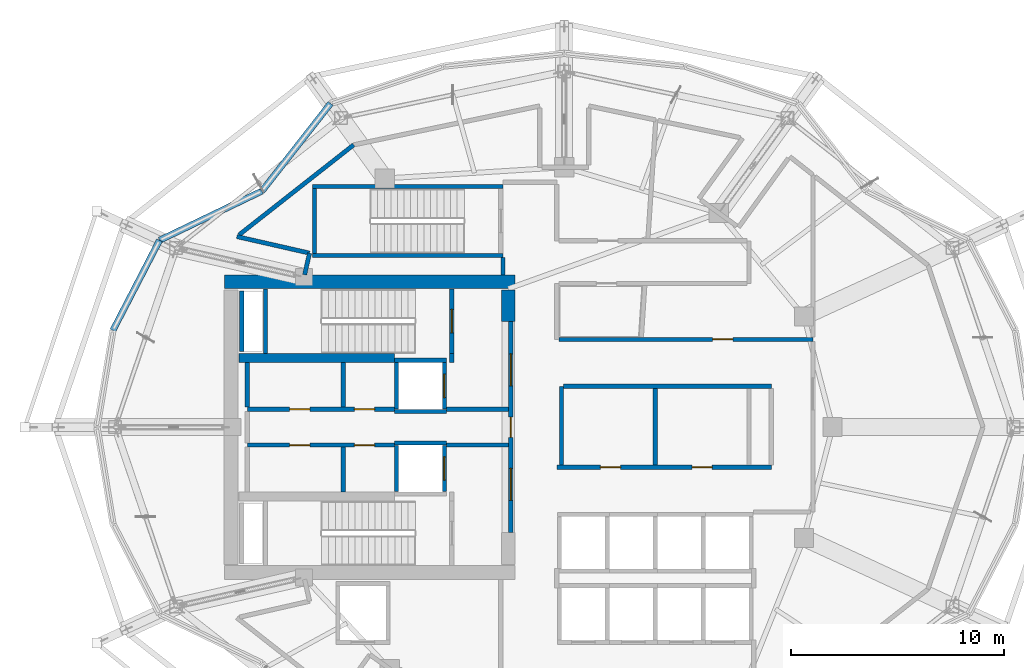
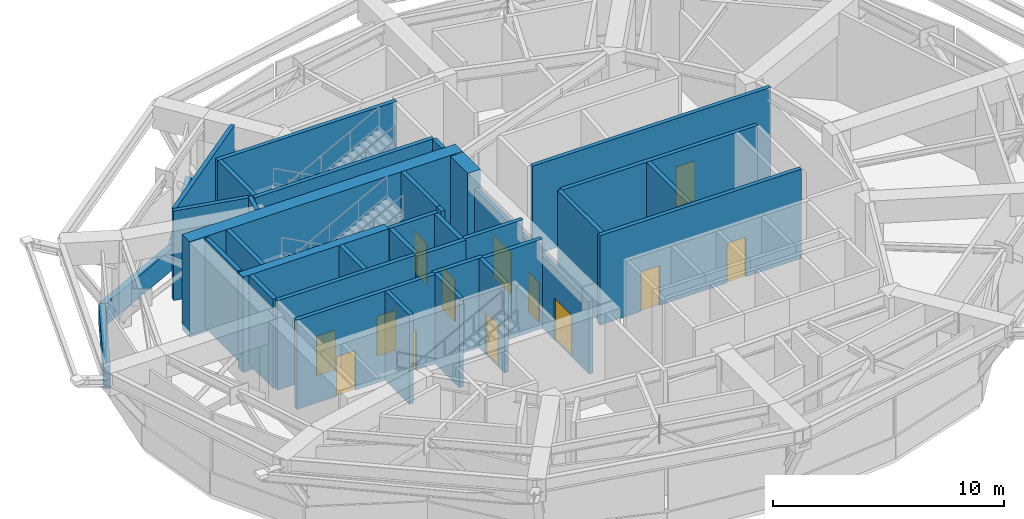
# One storey, part 9 of 13: 37 walls, 13 doors, 13 openings.
"""IFC4 building model written with IfcOpenShell, lengths in metres."""

from ifc_helpers import new_model, si_unit, direction, frame, frame_2d, origin, place, context, subcontext, project, spatial, rectangle, extrude, material, layer, layer_set, type_object, element, fill, save


model = new_model("IFC4")

# Units and contexts
model_context = context("Model", 3, precision=1e-05, world=origin(), true_north=direction((0.0, 1.0)))
body_context = subcontext(model_context, "Body", "Model", "MODEL_VIEW")
ifc_project = project(units=[si_unit("LENGTHUNIT", "METRE"), si_unit("AREAUNIT", "SQUARE_METRE"), si_unit("VOLUMEUNIT", "CUBIC_METRE"), si_unit("PLANEANGLEUNIT", "RADIAN"), si_unit("MASSUNIT", "GRAM", prefix="KILO")], contexts=[model_context])

# Site, building, storey
site_placement = place(None, origin())
site = spatial("IfcSite", under=ifc_project, at=site_placement, CompositionType="ELEMENT")
building_placement = place(site_placement, origin())
building = spatial("IfcBuilding", under=site, at=building_placement, Name="Kolvaren Gate Tower and Convention Centre", CompositionType="ELEMENT")
storey_placement = place(building_placement, frame((0.0, 0.0, 186.89990234375)))
storey = spatial("IfcBuildingStorey", under=building, at=storey_placement, Name="L49", CompositionType="ELEMENT", Elevation=186.89990234375)

# Walls
ifc_material_1 = material(Name="Autoclaved Aerated Masonry Blockwork Class 4 (4.0 MPa)", Category="masonry")
ifc_layer_1 = layer(ifc_material_1, 0.199951171875)
ifc_layer_set_1 = layer_set([ifc_layer_1], Name="Autoclaved Aerated Masonry Blockwork Class 4 (4.0 MPa)")
wall_type_1 = type_object("IfcWallType", Name="ARCH-WL-SHAFT-200", PredefinedType="SOLIDWALL", material=ifc_layer_set_1)
for number, where, z_axis, x_axis, name in (
    (1, (22.14990234375, 30.139892578125, 0.0), (0.0, 0.0, 1.0), (1.0, 0.0, 0.0), "Elevator FF-01 L49 Fire Shaft Wall N"),
    (2, (22.14990234375, 27.739990234375, 0.0), (0.0, 0.0, 1.0), (1.0, 0.0, 0.0), "Elevator FF-01 L49 Fire Shaft Wall S"),
):
    element("IfcWall", number, at=place(storey_placement, frame(where, z_axis=z_axis, x_axis=x_axis)), inside=storey, type_object=wall_type_1, Name=name, PredefinedType="SOLIDWALL", context=body_context, shape_type="SweptSolid", body=[
        extrude(rectangle(XDim=2.4501953125, YDim=0.199951171875, at=frame_2d((1.22509765625, 0.0))), origin(), (0.0, 0.0, 1.0), 4.72021484375),
    ])
wall_1_placement = place(storey_placement, frame((22.25, 27.85009765625, 0.0), z_axis=(0.0, 0.0, 1.0), x_axis=(0.0, 1.0, 0.0)))
element("IfcWall", 3, at=wall_1_placement, inside=storey, type_object=wall_type_1, Name="Elevator FF-01 L49 Fire Shaft Wall W", PredefinedType="SOLIDWALL", context=body_context, shape_type="SweptSolid", body=[
    extrude(rectangle(XDim=2.179931640625, YDim=0.199951171875, at=frame_2d((1.08984375, 0.0))), origin(), (0.0, 0.0, 1.0), 4.72021484375),
])

# Wall, opening, door
wall_2_placement = place(storey_placement, frame((24.5, 27.85009765625, 0.0), z_axis=(0.0, 0.0, 1.0), x_axis=(0.0, 1.0, 0.0)))
wall_2 = element("IfcWall", 4, at=wall_2_placement, inside=storey, type_object=wall_type_1, Name="Elevator FF-01 L49 Fire Shaft Wall E", PredefinedType="SOLIDWALL", context=body_context, shape_type="SweptSolid", body=[
    extrude(rectangle(XDim=2.179931640625, YDim=0.199951171875, at=frame_2d((1.08984375, 0.0))), origin(), (0.0, 0.0, 1.0), 4.72021484375),
])
opening_1_placement = place(wall_2_placement, frame((0.5400390625, 0.0, 0.0)))
opening_1 = element("IfcOpeningElement", 5, at=opening_1_placement, cuts=wall_2, Name="Opening LD", PredefinedType="OPENING", context=body_context, shape_type="SweptSolid", body=[
    extrude(rectangle(XDim=1.10009765625, YDim=2.199951171875, at=frame_2d((0.550048828125, 1.10009765625))), frame((0.0, 0.10986328125, 0.0), z_axis=(0.0, -1.0, 0.0), x_axis=(1.0, 0.0, 0.0)), (0.0, 0.0, 1.0), 0.219970703125),
])
ifc_material_2 = material(Name="Brushed Stainless Steel Grade 316L", Category="steel")
door_type_1 = type_object("IfcDoorType", Name="ARCH-DR-LIFT-1100", OperationType="SLIDING_TO_LEFT", PredefinedType="DOOR", material=ifc_material_2)
door_1_placement = place(opening_1_placement, origin())
door_1 = element("IfcDoor", 6, at=door_1_placement, inside=storey, type_object=door_type_1, Name="Elevator FF-01 L49 Sliding Landing Door", OperationType="SLIDING_TO_LEFT", OverallHeight=2.199951171875, OverallWidth=1.10009765625, PredefinedType="DOOR", context=body_context, shape_type="SweptSolid", body=[
    extrude(rectangle(XDim=1.10009765625, YDim=2.199951171875, at=frame_2d((0.550048828125, 1.10009765625))), frame((0.0, 0.02490234375, 0.0), z_axis=(0.0, -1.0, 0.0), x_axis=(1.0, 0.0, 0.0)), (0.0, 0.0, 1.0), 0.050048828125),
])
fill(opening_1, door_1)

# Walls
wall_3_placement = place(storey_placement, frame((22.14990234375, 26.260009765625, 0.0), z_axis=(0.0, 0.0, 1.0), x_axis=(1.0, 0.0, 0.0)))
element("IfcWall", 7, at=wall_3_placement, inside=storey, type_object=wall_type_1, Name="Elevator FF-02 L49 Fire Shaft Wall N", PredefinedType="SOLIDWALL", context=body_context, shape_type="SweptSolid", body=[
    extrude(rectangle(XDim=2.4501953125, YDim=0.199951171875, at=frame_2d((1.22509765625, 0.0))), origin(), (0.0, 0.0, 1.0), 4.72021484375),
])
wall_4_placement = place(storey_placement, frame((22.25, 23.969970703125, 0.0), z_axis=(0.0, 0.0, 1.0), x_axis=(0.0, 1.0, 0.0)))
element("IfcWall", 8, at=wall_4_placement, inside=storey, type_object=wall_type_1, Name="Elevator FF-02 L49 Fire Shaft Wall W", PredefinedType="SOLIDWALL", context=body_context, shape_type="SweptSolid", body=[
    extrude(rectangle(XDim=2.179931640625, YDim=0.199951171875, at=frame_2d((1.08984375, 0.0))), origin(), (0.0, 0.0, 1.0), 4.72021484375),
])

# Wall, opening, door
wall_5_placement = place(storey_placement, frame((24.5, 23.969970703125, 0.0), z_axis=(0.0, 0.0, 1.0), x_axis=(0.0, 1.0, 0.0)))
wall_5 = element("IfcWall", 9, at=wall_5_placement, inside=storey, type_object=wall_type_1, Name="Elevator FF-02 L49 Fire Shaft Wall E", PredefinedType="SOLIDWALL", context=body_context, shape_type="SweptSolid", body=[
    extrude(rectangle(XDim=2.179931640625, YDim=0.199951171875, at=frame_2d((1.08984375, 0.0))), origin(), (0.0, 0.0, 1.0), 4.72021484375),
])
opening_2_placement = place(wall_5_placement, frame((0.5400390625, 0.0, 0.0)))
opening_2 = element("IfcOpeningElement", 10, at=opening_2_placement, cuts=wall_5, Name="Opening LD", PredefinedType="OPENING", context=body_context, shape_type="SweptSolid", body=[
    extrude(rectangle(XDim=1.10009765625, YDim=2.199951171875, at=frame_2d((0.550048828125, 1.10009765625))), frame((0.0, 0.10986328125, 0.0), z_axis=(0.0, -1.0, 0.0), x_axis=(1.0, 0.0, 0.0)), (0.0, 0.0, 1.0), 0.219970703125),
])
door_2_placement = place(opening_2_placement, origin())
door_2 = element("IfcDoor", 11, at=door_2_placement, inside=storey, type_object=door_type_1, Name="Elevator FF-02 L49 Sliding Landing Door", OperationType="SLIDING_TO_LEFT", OverallHeight=2.199951171875, OverallWidth=1.10009765625, PredefinedType="DOOR", context=body_context, shape_type="SweptSolid", body=[
    extrude(rectangle(XDim=1.10009765625, YDim=2.199951171875, at=frame_2d((0.550048828125, 1.10009765625))), frame((0.0, 0.02490234375, 0.0), z_axis=(0.0, -1.0, 0.0), x_axis=(1.0, 0.0, 0.0)), (0.0, 0.0, 1.0), 0.050048828125),
])
fill(opening_2, door_2)

# Walls
wall_6_placement = place(storey_placement, frame((14.989990234375, 30.550048828125, 0.0), z_axis=(0.0, 0.0, 1.0), x_axis=(0.0, 1.0, 0.0)))
element("IfcWall", 12, at=wall_6_placement, inside=storey, type_object=wall_type_1, Name="Vertical Shaft HVR L49 EI-120 Enclosure Wall W", PredefinedType="SOLIDWALL", context=body_context, shape_type="SweptSolid", body=[
    extrude(rectangle(XDim=2.849853515625, YDim=0.199951171875, at=frame_2d((1.4248046875, 0.0))), origin(), (0.0, 0.0, 1.0), 4.72021484375),
])
wall_7_placement = place(storey_placement, frame((24.85009765625, 30.0400390625, 0.0), z_axis=(0.0, 0.0, 1.0), x_axis=(0.0, 1.0, 0.0)))
element("IfcWall", 13, at=wall_7_placement, inside=storey, type_object=wall_type_1, Name="Interior Partition WL-L49-INT-002", PredefinedType="SOLIDWALL", context=body_context, shape_type="SweptSolid", body=[
    extrude(rectangle(XDim=0.419921875, YDim=0.199951171875, at=frame_2d((0.2099609375, 0.0))), origin(), (0.0, 0.0, 1.0), 4.72021484375),
])

# Wall, openings, doors
wall_8_placement = place(storey_placement, frame((27.6201171875, 22.050048828125, 0.0), z_axis=(0.0, 0.0, 1.0), x_axis=(0.0, 1.0, 0.0)))
wall_8 = element("IfcWall", 14, at=wall_8_placement, inside=storey, type_object=wall_type_1, Name="Interior Partition WL-L49-INT-003", PredefinedType="SOLIDWALL", context=body_context, shape_type="SweptSolid", body=[
    extrude(rectangle(XDim=9.89990234375, YDim=0.199951171875, at=frame_2d((4.949951171875, 0.0))), origin(), (0.0, 0.0, 1.0), 3.81201171875),
])
opening_3_placement = place(wall_8_placement, frame((4.47509765625, 0.0, 0.0)))
opening_3 = element("IfcOpeningElement", 15, at=opening_3_placement, cuts=wall_8, Name="Opening DR-01", PredefinedType="OPENING", context=body_context, shape_type="SweptSolid", body=[
    extrude(rectangle(XDim=0.949951171875, YDim=2.10009765625, at=frame_2d((0.47509765625, 1.050048828125))), frame((0.0, 0.10986328125, 0.0), z_axis=(0.0, -1.0, 0.0), x_axis=(1.0, 0.0, 0.0)), (0.0, 0.0, 1.0), 0.219970703125),
])
opening_4_placement = place(wall_8_placement, frame((6.889892578125, 0.0, 0.0)))
opening_4 = element("IfcOpeningElement", 16, at=opening_4_placement, cuts=wall_8, Name="Opening DL-01", PredefinedType="OPENING", context=body_context, shape_type="SweptSolid", body=[
    extrude(rectangle(XDim=1.5, YDim=2.199951171875, at=frame_2d((0.75, 1.10009765625))), frame((0.0, 0.10986328125, 0.0), z_axis=(0.0, -1.0, 0.0), x_axis=(1.0, 0.0, 0.0)), (0.0, 0.0, 1.0), 0.219970703125),
])
opening_5_placement = place(wall_8_placement, frame((1.510009765625, 0.0, 0.0)))
opening_5 = element("IfcOpeningElement", 17, at=opening_5_placement, cuts=wall_8, Name="Opening DL-01", PredefinedType="OPENING", context=body_context, shape_type="SweptSolid", body=[
    extrude(rectangle(XDim=1.5, YDim=2.199951171875, at=frame_2d((0.75, 1.10009765625))), frame((0.0, 0.10986328125, 0.0), z_axis=(0.0, -1.0, 0.0), x_axis=(1.0, 0.0, 0.0)), (0.0, 0.0, 1.0), 0.219970703125),
])
ifc_material_3 = material(Name="Painted Architectural Steelwork ASTM A500 Grade C 345 MPa", Category="steel")
door_type_2 = type_object("IfcDoorType", Name="ARCH-DR-LOBBY-1500", OperationType="DOUBLE_DOOR_SINGLE_SWING", PredefinedType="DOOR", material=ifc_material_3)
door_3_placement = place(opening_4_placement, origin())
door_3 = element("IfcDoor", 18, at=door_3_placement, inside=storey, type_object=door_type_2, Name="North Firefighting Stair and Lift Lobby Door", OperationType="DOUBLE_DOOR_SINGLE_SWING", OverallHeight=2.199951171875, OverallWidth=1.5, PredefinedType="DOOR", context=body_context, shape_type="SweptSolid", body=[
    extrude(rectangle(XDim=1.5, YDim=2.199951171875, at=frame_2d((0.75, 1.10009765625))), frame((0.0, 0.02490234375, 0.0), z_axis=(0.0, -1.0, 0.0), x_axis=(1.0, 0.0, 0.0)), (0.0, 0.0, 1.0), 0.050048828125),
])
fill(opening_4, door_3)
door_4_placement = place(opening_5_placement, origin())
door_4 = element("IfcDoor", 19, at=door_4_placement, inside=storey, type_object=door_type_2, Name="South Firefighting Stair and Lift Lobby Door", OperationType="DOUBLE_DOOR_SINGLE_SWING", OverallHeight=2.199951171875, OverallWidth=1.5, PredefinedType="DOOR", context=body_context, shape_type="SweptSolid", body=[
    extrude(rectangle(XDim=1.5, YDim=2.199951171875, at=frame_2d((0.75, 1.10009765625))), frame((0.0, 0.02490234375, 0.0), z_axis=(0.0, -1.0, 0.0), x_axis=(1.0, 0.0, 0.0)), (0.0, 0.0, 1.0), 0.050048828125),
])
fill(opening_5, door_4)
door_type_3 = type_object("IfcDoorType", Name="ARCH-DR-RISER-950", OperationType="SINGLE_SWING_RIGHT", PredefinedType="DOOR", material=ifc_material_3)
door_5_placement = place(opening_3_placement, origin())
door_5 = element("IfcDoor", 20, at=door_5_placement, inside=storey, type_object=door_type_3, Name="Central MEP Service Corridor Door", OperationType="SINGLE_SWING_LEFT", OverallHeight=2.10009765625, OverallWidth=0.949951171875, PredefinedType="DOOR", context=body_context, shape_type="SweptSolid", body=[
    extrude(rectangle(XDim=0.949951171875, YDim=2.10009765625, at=frame_2d((0.47509765625, 1.050048828125))), frame((0.0, 0.02490234375, 0.0), z_axis=(0.0, -1.0, 0.0), x_axis=(1.0, 0.0, 0.0)), (0.0, 0.0, 1.0), 0.050048828125),
])
fill(opening_3, door_5)

wall_9_placement = place(storey_placement, frame((15.25, 27.840087890625, 0.0), z_axis=(0.0, 0.0, 1.0), x_axis=(1.0, 0.0, 0.0)))
wall_9 = element("IfcWall", 21, at=wall_9_placement, inside=storey, type_object=wall_type_1, Name="Interior Partition WL-L49-INT-004", PredefinedType="SOLIDWALL", context=body_context, shape_type="SweptSolid", body=[
    extrude(rectangle(XDim=6.89990234375, YDim=0.199951171875, at=frame_2d((3.449951171875, 0.0))), origin(), (0.0, 0.0, 1.0), 4.72021484375),
])
opening_6_placement = place(wall_9_placement, frame((5.02001953125, 0.0, 0.0)))
opening_6 = element("IfcOpeningElement", 22, at=opening_6_placement, cuts=wall_9, Name="Opening DR-01", PredefinedType="OPENING", context=body_context, shape_type="SweptSolid", body=[
    extrude(rectangle(XDim=0.949951171875, YDim=2.10009765625, at=frame_2d((0.47509765625, 1.050048828125))), frame((0.0, 0.10986328125, 0.0), z_axis=(0.0, -1.0, 0.0), x_axis=(1.0, 0.0, 0.0)), (0.0, 0.0, 1.0), 0.219970703125),
])
opening_7_placement = place(wall_9_placement, frame((1.97998046875, 0.0, 0.0)))
opening_7 = element("IfcOpeningElement", 23, at=opening_7_placement, cuts=wall_9, Name="Opening DR-01", PredefinedType="OPENING", context=body_context, shape_type="SweptSolid", body=[
    extrude(rectangle(XDim=0.949951171875, YDim=2.10009765625, at=frame_2d((0.47509765625, 1.050048828125))), frame((0.0, 0.10986328125, 0.0), z_axis=(0.0, -1.0, 0.0), x_axis=(1.0, 0.0, 0.0)), (0.0, 0.0, 1.0), 0.219970703125),
])
door_6_placement = place(opening_6_placement, origin())
door_6 = element("IfcDoor", 24, at=door_6_placement, inside=storey, type_object=door_type_3, Name="Electrical Switchgear Closet Door", OperationType="SINGLE_SWING_RIGHT", OverallHeight=2.10009765625, OverallWidth=0.949951171875, PredefinedType="DOOR", context=body_context, shape_type="SweptSolid", body=[
    extrude(rectangle(XDim=0.949951171875, YDim=2.10009765625, at=frame_2d((0.47509765625, 1.050048828125))), frame((0.0, 0.02490234375, 0.0), z_axis=(0.0, -1.0, 0.0), x_axis=(1.0, 0.0, 0.0)), (0.0, 0.0, 1.0), 0.050048828125),
])
fill(opening_6, door_6)
door_7_placement = place(opening_7_placement, origin())
door_7 = element("IfcDoor", 25, at=door_7_placement, inside=storey, type_object=door_type_3, Name="Telecom Distribution Closet Door", OperationType="SINGLE_SWING_RIGHT", OverallHeight=2.10009765625, OverallWidth=0.949951171875, PredefinedType="DOOR", context=body_context, shape_type="SweptSolid", body=[
    extrude(rectangle(XDim=0.949951171875, YDim=2.10009765625, at=frame_2d((0.47509765625, 1.050048828125))), frame((0.0, 0.02490234375, 0.0), z_axis=(0.0, -1.0, 0.0), x_axis=(1.0, 0.0, 0.0)), (0.0, 0.0, 1.0), 0.050048828125),
])
fill(opening_7, door_7)

# Wall
wall_10_placement = place(storey_placement, frame((24.60009765625, 27.840087890625, 0.0), z_axis=(0.0, 0.0, 1.0), x_axis=(1.0, 0.0, 0.0)))
element("IfcWall", 26, at=wall_10_placement, inside=storey, type_object=wall_type_1, Name="Interior Partition WL-L49-INT-004 (2)", PredefinedType="SOLIDWALL", context=body_context, shape_type="SweptSolid", body=[
    extrude(rectangle(XDim=2.91796875, YDim=0.199951171875, at=frame_2d((1.458984375, 0.0))), origin(), (0.0, 0.0, 1.0), 4.72021484375),
])

# Wall, openings, doors
wall_11_placement = place(storey_placement, frame((15.25, 26.159912109375, 0.0), z_axis=(0.0, 0.0, 1.0), x_axis=(1.0, 0.0, 0.0)))
wall_11 = element("IfcWall", 27, at=wall_11_placement, inside=storey, type_object=wall_type_1, Name="Interior Partition WL-L49-INT-005", PredefinedType="SOLIDWALL", context=body_context, shape_type="SweptSolid", body=[
    extrude(rectangle(XDim=6.89990234375, YDim=0.199951171875, at=frame_2d((3.449951171875, 0.0))), origin(), (0.0, 0.0, 1.0), 4.72021484375),
])
opening_8_placement = place(wall_11_placement, frame((5.02001953125, 0.0, 0.0)))
opening_8 = element("IfcOpeningElement", 28, at=opening_8_placement, cuts=wall_11, Name="Opening DR-01", PredefinedType="OPENING", context=body_context, shape_type="SweptSolid", body=[
    extrude(rectangle(XDim=0.949951171875, YDim=2.10009765625, at=frame_2d((0.47509765625, 1.050048828125))), frame((0.0, 0.10986328125, 0.0), z_axis=(0.0, -1.0, 0.0), x_axis=(1.0, 0.0, 0.0)), (0.0, 0.0, 1.0), 0.219970703125),
])
opening_9_placement = place(wall_11_placement, frame((1.97998046875, 0.0, 0.0)))
opening_9 = element("IfcOpeningElement", 29, at=opening_9_placement, cuts=wall_11, Name="Opening DR-01", PredefinedType="OPENING", context=body_context, shape_type="SweptSolid", body=[
    extrude(rectangle(XDim=0.949951171875, YDim=2.10009765625, at=frame_2d((0.47509765625, 1.050048828125))), frame((0.0, 0.10986328125, 0.0), z_axis=(0.0, -1.0, 0.0), x_axis=(1.0, 0.0, 0.0)), (0.0, 0.0, 1.0), 0.219970703125),
])
door_8_placement = place(opening_8_placement, origin())
door_8 = element("IfcDoor", 30, at=door_8_placement, inside=storey, type_object=door_type_3, Name="Domestic Water Meter Closet Door", OperationType="SINGLE_SWING_LEFT", OverallHeight=2.10009765625, OverallWidth=0.949951171875, PredefinedType="DOOR", context=body_context, shape_type="SweptSolid", body=[
    extrude(rectangle(XDim=0.949951171875, YDim=2.10009765625, at=frame_2d((0.47509765625, 1.050048828125))), frame((0.0, 0.02490234375, 0.0), z_axis=(0.0, -1.0, 0.0), x_axis=(1.0, 0.0, 0.0)), (0.0, 0.0, 1.0), 0.050048828125),
])
fill(opening_8, door_8)
door_9_placement = place(opening_9_placement, origin())
door_9 = element("IfcDoor", 31, at=door_9_placement, inside=storey, type_object=door_type_3, Name="Smoke Damper Control Closet Door", OperationType="SINGLE_SWING_LEFT", OverallHeight=2.10009765625, OverallWidth=0.949951171875, PredefinedType="DOOR", context=body_context, shape_type="SweptSolid", body=[
    extrude(rectangle(XDim=0.949951171875, YDim=2.10009765625, at=frame_2d((0.47509765625, 1.050048828125))), frame((0.0, 0.02490234375, 0.0), z_axis=(0.0, -1.0, 0.0), x_axis=(1.0, 0.0, 0.0)), (0.0, 0.0, 1.0), 0.050048828125),
])
fill(opening_9, door_9)

# Walls
wall_12_placement = place(storey_placement, frame((24.60009765625, 26.159912109375, 0.0), z_axis=(0.0, 0.0, 1.0), x_axis=(1.0, 0.0, 0.0)))
element("IfcWall", 32, at=wall_12_placement, inside=storey, type_object=wall_type_1, Name="Interior Partition WL-L49-INT-005 (2)", PredefinedType="SOLIDWALL", context=body_context, shape_type="SweptSolid", body=[
    extrude(rectangle(XDim=2.91796875, YDim=0.199951171875, at=frame_2d((1.458984375, 0.0))), origin(), (0.0, 0.0, 1.0), 4.72021484375),
])
for number, where, z_axis, x_axis, name in (
    (33, (15.25, 27.94189453125, 0.0), (0.0, 0.0, 1.0), (0.0, 1.0, 0.0), "Interior Partition WL-L49-INT-006 (3)"),
    (34, (19.75, 23.9619140625, 0.0), (0.0, 0.0, 1.0), (0.0, 1.0, 0.0), "Interior Partition WL-L49-INT-007"),
    (35, (19.75, 27.94189453125, 0.0), (0.0, 0.0, 1.0), (0.0, 1.0, 0.0), "Interior Partition WL-L49-INT-008"),
):
    element("IfcWall", number, at=place(storey_placement, frame(where, z_axis=z_axis, x_axis=x_axis)), inside=storey, type_object=wall_type_1, Name=name, PredefinedType="SOLIDWALL", context=body_context, shape_type="SweptSolid", body=[
        extrude(rectangle(XDim=2.09619140625, YDim=0.199951171875, at=frame_2d((1.048095703125, 0.0))), origin(), (0.0, 0.0, 1.0), 4.72021484375),
    ])

# Wall, openings, doors
wall_13_placement = place(storey_placement, frame((29.780029296875, 25.1201171875, 0.0), z_axis=(0.0, 0.0, 1.0), x_axis=(1.0, 0.0, 0.0)))
wall_13 = element("IfcWall", 36, at=wall_13_placement, inside=storey, type_object=wall_type_1, Name="Interior Partition WL-L49-INT-009", PredefinedType="SOLIDWALL", context=body_context, shape_type="SweptSolid", body=[
    extrude(rectangle(XDim=10.070068359375, YDim=0.199951171875, at=frame_2d((5.03515625, 0.0))), origin(), (0.0, 0.0, 1.0), 4.72021484375),
])
opening_10_placement = place(wall_13_placement, frame((2.0400390625, 0.0, 0.0)))
opening_10 = element("IfcOpeningElement", 37, at=opening_10_placement, cuts=wall_13, Name="Opening DR-01", PredefinedType="OPENING", context=body_context, shape_type="SweptSolid", body=[
    extrude(rectangle(XDim=0.949951171875, YDim=2.10009765625, at=frame_2d((0.47509765625, 1.050048828125))), frame((0.0, 0.10986328125, 0.0), z_axis=(0.0, -1.0, 0.0), x_axis=(1.0, 0.0, 0.0)), (0.0, 0.0, 1.0), 0.219970703125),
])
opening_11_placement = place(wall_13_placement, frame((6.344970703125, 0.0, 0.0)))
opening_11 = element("IfcOpeningElement", 38, at=opening_11_placement, cuts=wall_13, Name="Opening DR-01", PredefinedType="OPENING", context=body_context, shape_type="SweptSolid", body=[
    extrude(rectangle(XDim=0.949951171875, YDim=2.10009765625, at=frame_2d((0.47509765625, 1.050048828125))), frame((0.0, 0.10986328125, 0.0), z_axis=(0.0, -1.0, 0.0), x_axis=(1.0, 0.0, 0.0)), (0.0, 0.0, 1.0), 0.219970703125),
])
door_10_placement = place(opening_10_placement, origin())
door_10 = element("IfcDoor", 39, at=door_10_placement, inside=storey, type_object=door_type_3, Name="Mechanical Floor Staff Washroom Door", OperationType="SINGLE_SWING_RIGHT", OverallHeight=2.10009765625, OverallWidth=0.949951171875, PredefinedType="DOOR", context=body_context, shape_type="SweptSolid", body=[
    extrude(rectangle(XDim=0.949951171875, YDim=2.10009765625, at=frame_2d((0.47509765625, 1.050048828125))), frame((0.0, 0.02490234375, 0.0), z_axis=(0.0, -1.0, 0.0), x_axis=(1.0, 0.0, 0.0)), (0.0, 0.0, 1.0), 0.050048828125),
])
fill(opening_10, door_10)
door_11_placement = place(opening_11_placement, origin())
door_11 = element("IfcDoor", 40, at=door_11_placement, inside=storey, type_object=door_type_3, Name="Mechanical Floor Spare Parts Store Door", OperationType="SINGLE_SWING_LEFT", OverallHeight=2.10009765625, OverallWidth=0.949951171875, PredefinedType="DOOR", context=body_context, shape_type="SweptSolid", body=[
    extrude(rectangle(XDim=0.949951171875, YDim=2.10009765625, at=frame_2d((0.47509765625, 1.050048828125))), frame((0.0, 0.02490234375, 0.0), z_axis=(0.0, -1.0, 0.0), x_axis=(1.0, 0.0, 0.0)), (0.0, 0.0, 1.0), 0.050048828125),
])
fill(opening_11, door_11)

# Walls
wall_14_placement = place(storey_placement, frame((30.0, 25.221923828125, 0.0), z_axis=(0.0, 0.0, 1.0), x_axis=(0.0, 1.0, 0.0)))
element("IfcWall", 41, at=wall_14_placement, inside=storey, type_object=wall_type_1, Name="Interior Partition WL-L49-INT-010", PredefinedType="SOLIDWALL", context=body_context, shape_type="SweptSolid", body=[
    extrude(rectangle(XDim=3.697998046875, YDim=0.199951171875, at=frame_2d((1.84912109375, 0.0))), origin(), (0.0, 0.0, 1.0), 4.72021484375),
])
wall_15_placement = place(storey_placement, frame((30.10205078125, 28.919921875, 0.0), z_axis=(0.0, 0.0, 1.0), x_axis=(1.0, 0.0, 0.0)))
element("IfcWall", 42, at=wall_15_placement, inside=storey, type_object=wall_type_1, Name="Interior Partition WL-L49-INT-011", PredefinedType="SOLIDWALL", context=body_context, shape_type="SweptSolid", body=[
    extrude(rectangle(XDim=9.748046875, YDim=0.199951171875, at=frame_2d((4.8740234375, 0.0))), origin(), (0.0, 0.0, 1.0), 4.72021484375),
])
wall_16_placement = place(storey_placement, frame((34.39990234375, 25.221923828125, 0.0), z_axis=(0.0, 0.0, 1.0), x_axis=(0.0, 1.0, 0.0)))
element("IfcWall", 43, at=wall_16_placement, inside=storey, type_object=wall_type_1, Name="Interior Partition WL-L49-INT-012", PredefinedType="SOLIDWALL", context=body_context, shape_type="SweptSolid", body=[
    extrude(rectangle(XDim=3.59619140625, YDim=0.199951171875, at=frame_2d((1.798095703125, 0.0))), origin(), (0.0, 0.0, 1.0), 4.72021484375),
])
wall_17_placement = place(storey_placement, frame((27.25, 34.152099609375, 0.0), z_axis=(0.0, 0.0, 1.0), x_axis=(0.0, 1.0, 0.0)))
element("IfcWall", 44, at=wall_17_placement, inside=storey, type_object=wall_type_1, Name="Interior Partition WL-L49-INT-016", PredefinedType="SOLIDWALL", context=body_context, shape_type="SweptSolid", body=[
    extrude(rectangle(XDim=0.805908203125, YDim=0.199951171875, at=frame_2d((0.40283203125, 0.0))), origin(), (0.0, 0.0, 1.0), 4.72021484375),
])

# Wall, opening, door
wall_18_placement = place(storey_placement, frame((29.882080078125, 31.1201171875, 0.0), z_axis=(0.0, 0.0, 1.0), x_axis=(1.0, 0.0, 0.0)))
wall_18 = element("IfcWall", 45, at=wall_18_placement, inside=storey, type_object=wall_type_1, Name="Interior Partition WL-L49-INT-023", PredefinedType="SOLIDWALL", context=body_context, shape_type="SweptSolid", body=[
    extrude(rectangle(XDim=11.91796875, YDim=0.199951171875, at=frame_2d((5.958984375, 0.0))), origin(), (0.0, 0.0, 1.0), 4.72021484375),
])
opening_12_placement = place(wall_18_placement, frame((7.208251953125, 0.0, 0.0)))
opening_12 = element("IfcOpeningElement", 46, at=opening_12_placement, cuts=wall_18, Name="Opening DR-01", PredefinedType="OPENING", context=body_context, shape_type="SweptSolid", body=[
    extrude(rectangle(XDim=0.949951171875, YDim=2.10009765625, at=frame_2d((0.47509765625, 1.050048828125))), frame((0.0, 0.10986328125, 0.0), z_axis=(0.0, -1.0, 0.0), x_axis=(1.0, 0.0, 0.0)), (0.0, 0.0, 1.0), 0.219970703125),
])
door_12_placement = place(opening_12_placement, origin())
door_12 = element("IfcDoor", 47, at=door_12_placement, inside=storey, type_object=door_type_3, Name="Zone Electrical Substation and Switchgear Room Door", OperationType="SINGLE_SWING_LEFT", OverallHeight=2.10009765625, OverallWidth=0.949951171875, PredefinedType="DOOR", context=body_context, shape_type="SweptSolid", body=[
    extrude(rectangle(XDim=0.949951171875, YDim=2.10009765625, at=frame_2d((0.47509765625, 1.050048828125))), frame((0.0, 0.02490234375, 0.0), z_axis=(0.0, -1.0, 0.0), x_axis=(1.0, 0.0, 0.0)), (0.0, 0.0, 1.0), 0.050048828125),
])
fill(opening_12, door_12)

# Walls
wall_19_placement = place(storey_placement, frame((17.93701171875, 34.152099609375, 0.0), z_axis=(0.0, 0.0, 1.0), x_axis=(0.221974559012, 0.975052457641, 0.0)))
element("IfcWall", 48, at=wall_19_placement, inside=storey, type_object=wall_type_1, Name="Interior Partition WL-L49-INT-050", PredefinedType="SOLIDWALL", context=body_context, shape_type="SweptSolid", body=[
    extrude(rectangle(XDim=1.044921875, YDim=0.199951171875, at=frame_2d((0.5224609375, 0.0))), origin(), (0.0, 0.0, 1.0), 4.72021484375),
])
wall_20_placement = place(storey_placement, frame((14.757080078125, 35.947998046875, 0.0), z_axis=(0.0, 0.0, 1.0), x_axis=(0.975029260281, -0.222076431877, 0.0)))
element("IfcWall", 49, at=wall_20_placement, inside=storey, type_object=wall_type_1, Name="Interior Partition WL-L49-INT-051", PredefinedType="SOLIDWALL", context=body_context, shape_type="SweptSolid", body=[
    extrude(rectangle(XDim=3.499267578125, YDim=0.199951171875, at=frame_2d((1.74951171875, 0.0))), origin(), (0.0, 0.0, 1.0), 4.72021484375),
])
wall_21_placement = place(storey_placement, frame((14.8603515625, 36.029052734375, 0.0), z_axis=(0.0, 0.0, 1.0), x_axis=(0.786475634876, 0.617621304479, 0.0)))
element("IfcWall", 50, at=wall_21_placement, inside=storey, type_object=wall_type_1, Name="Interior Partition WL-L49-INT-052", PredefinedType="SOLIDWALL", context=body_context, shape_type="SweptSolid", body=[
    extrude(rectangle(XDim=6.8388671875, YDim=0.199951171875, at=frame_2d((3.41943359375, 0.0))), origin(), (0.0, 0.0, 1.0), 4.72021484375),
])
ifc_material_4 = material(Name="Piedmont Cream Honed Limestone Cladding", Category="masonry")
ifc_layer_2 = layer(ifc_material_4, 0.300048828125)
ifc_layer_set_2 = layer_set([ifc_layer_2], Name="Piedmont Cream Honed Limestone Cladding")
wall_type_2 = type_object("IfcWallType", Name="ARCH-WL-STONE-300", PredefinedType="SOLIDWALL", material=ifc_layer_set_2)
wall_22_placement = place(storey_placement, frame((15.9365234375, 38.0859375, 0.0), z_axis=(0.0, 0.0, 1.0), x_axis=(0.616429245738, 0.787410302828, 0.0)))
element("IfcWall", 51, at=wall_22_placement, inside=storey, type_object=wall_type_2, Name="Plant Floor L49 Stone Sill Wall EW-08", PredefinedType="SOLIDWALL", context=body_context, shape_type="SweptSolid", body=[
    extrude(rectangle(XDim=5.22314453125, YDim=0.300048828125, at=frame_2d((2.611572265625, 0.0))), origin(), (0.0, 0.0, 1.0), 1.150146484375),
])
wall_23_placement = place(storey_placement, frame((11.126708984375, 35.77490234375, 0.0), z_axis=(0.0, 0.0, 1.0), x_axis=(0.901353070301, 0.433085029363, 0.0)))
element("IfcWall", 52, at=wall_23_placement, inside=storey, type_object=wall_type_2, Name="Plant Floor L49 Stone Sill Wall EW-09", PredefinedType="SOLIDWALL", context=body_context, shape_type="SweptSolid", body=[
    extrude(rectangle(XDim=5.336181640625, YDim=0.300048828125, at=frame_2d((2.66796875, 0.0))), origin(), (0.0, 0.0, 1.0), 1.150146484375),
])
wall_24_placement = place(storey_placement, frame((8.93505859375, 31.542236328125, 0.0), z_axis=(0.0, 0.0, 1.0), x_axis=(0.459810251451, 0.888017191647, 0.0)))
element("IfcWall", 53, at=wall_24_placement, inside=storey, type_object=wall_type_2, Name="Plant Floor L49 Stone Sill Wall EW-10", PredefinedType="SOLIDWALL", context=body_context, shape_type="SweptSolid", body=[
    extrude(rectangle(XDim=4.766357421875, YDim=0.300048828125, at=frame_2d((2.38330078125, 0.0))), origin(), (0.0, 0.0, 1.0), 1.150146484375),
])
ifc_material_5 = material(Name="Concrete C50/60", Category="concrete")
ifc_layer_3 = layer(ifc_material_5, 0.419921875)
ifc_layer_set_3 = layer_set([ifc_layer_3], Name="Concrete C50/60")
wall_type_3 = type_object("IfcWallType", Name="STR-WL-CONV-420", PredefinedType="SHEAR", material=ifc_layer_set_3)
wall_25_placement = place(storey_placement, frame((14.85009765625, 30.25, -0.31982421875), z_axis=(0.0, 0.0, 1.0), x_axis=(1.0, 0.0, 0.0)))
element("IfcWall", 54, at=wall_25_placement, inside=storey, type_object=wall_type_3, Name="Tower L49 Offset Core Shear Wall WN", PredefinedType="SHEAR", context=body_context, shape_type="SweptSolid", body=[
    extrude(rectangle(XDim=7.2998046875, YDim=0.419921875, at=frame_2d((3.64990234375, 0.0))), origin(), (0.0, 0.0, 1.0), 5.0400390625),
])
ifc_material_6 = material(Name="Concrete C60/75", Category="concrete")
ifc_layer_4 = layer(ifc_material_6, 0.64990234375)
ifc_layer_set_4 = layer_set([ifc_layer_4], Name="Concrete C60/75")
wall_type_4 = type_object("IfcWallType", Name="STR-WL-CORE-650", PredefinedType="SHEAR", material=ifc_layer_set_4)
wall_26_placement = place(storey_placement, frame((14.175048828125, 33.824951171875, -0.31982421875), z_axis=(0.0, 0.0, 1.0), x_axis=(1.0, 0.0, 0.0)))
element("IfcWall", 55, at=wall_26_placement, inside=storey, type_object=wall_type_4, Name="Tower L49 Offset Core Shear Wall N", PredefinedType="SHEAR", context=body_context, shape_type="SweptSolid", body=[
    extrude(rectangle(XDim=13.64990234375, YDim=0.64990234375, at=frame_2d((6.824951171875, 0.0))), origin(), (0.0, 0.0, 1.0), 5.0400390625),
])
wall_27_placement = place(storey_placement, frame((27.5, 31.949951171875, -0.31982421875), z_axis=(0.0, 0.0, 1.0), x_axis=(0.0, 1.0, 0.0)))
element("IfcWall", 56, at=wall_27_placement, inside=storey, type_object=wall_type_4, Name="Tower L49 Offset Core Shear Wall EN", PredefinedType="SHEAR", context=body_context, shape_type="SweptSolid", body=[
    extrude(rectangle(XDim=1.5, YDim=0.64990234375, at=frame_2d((0.75, 0.0))), origin(), (0.0, 0.0, 1.0), 5.0400390625),
])

# Wall, opening, door
ifc_layer_5 = layer(ifc_material_5, 0.199951171875)
ifc_layer_set_5 = layer_set([ifc_layer_5], Name="Concrete C50/60")
wall_type_5 = type_object("IfcWallType", Name="STR-WL-SHAFT-200", PredefinedType="SHEAR", material=ifc_layer_set_5)
wall_28_placement = place(storey_placement, frame((24.85009765625, 30.4599609375, -0.31982421875), z_axis=(0.0, 0.0, 1.0), x_axis=(0.0, 1.0, 0.0)))
wall_28 = element("IfcWall", 57, at=wall_28_placement, inside=storey, type_object=wall_type_5, Name="Tower North Exit Stair ST-T1 L49 Structural Shear Enclosure Wall NEAR", PredefinedType="SHEAR", context=body_context, shape_type="SweptSolid", body=[
    extrude(rectangle(XDim=3.0380859375, YDim=0.199951171875, at=frame_2d((1.51904296875, 0.0))), origin(), (0.0, 0.0, 1.0), 5.0400390625),
])
opening_13_placement = place(wall_28_placement, frame((0.968994140625, 0.0, 0.320068359375)))
opening_13 = element("IfcOpeningElement", 58, at=opening_13_placement, cuts=wall_28, Name="Opening DS-01", PredefinedType="OPENING", context=body_context, shape_type="SweptSolid", body=[
    extrude(rectangle(XDim=1.10009765625, YDim=2.14990234375, at=frame_2d((0.550048828125, 1.074951171875))), frame((0.0, 0.10986328125, 0.0), z_axis=(0.0, -1.0, 0.0), x_axis=(1.0, 0.0, 0.0)), (0.0, 0.0, 1.0), 0.219970703125),
])
door_type_4 = type_object("IfcDoorType", Name="ARCH-DR-STAIR-1100", OperationType="SINGLE_SWING_LEFT", PredefinedType="DOOR", material=ifc_material_3)
door_13_placement = place(opening_13_placement, origin())
door_13 = element("IfcDoor", 59, at=door_13_placement, inside=storey, type_object=door_type_4, Name="Tower North Exit Stair ST-T1 L49 Fire Exit Stair Door", OperationType="SINGLE_SWING_LEFT", OverallHeight=2.14990234375, OverallWidth=1.10009765625, PredefinedType="DOOR", context=body_context, shape_type="SweptSolid", body=[
    extrude(rectangle(XDim=1.10009765625, YDim=2.14990234375, at=frame_2d((0.550048828125, 1.074951171875))), frame((0.0, 0.02490234375, 0.0), z_axis=(0.0, -1.0, 0.0), x_axis=(1.0, 0.0, 0.0)), (0.0, 0.0, 1.0), 0.050048828125),
])
fill(opening_13, door_13)

# Walls
wall_29_placement = place(storey_placement, frame((16.10009765625, 30.4619140625, -0.31982421875), z_axis=(0.0, 0.0, 1.0), x_axis=(0.0, 1.0, 0.0)))
element("IfcWall", 60, at=wall_29_placement, inside=storey, type_object=wall_type_5, Name="Tower North Exit Stair ST-T1 L49 Structural Shear Enclosure Wall FAR", PredefinedType="SHEAR", context=body_context, shape_type="SweptSolid", body=[
    extrude(rectangle(XDim=3.0361328125, YDim=0.199951171875, at=frame_2d((1.51806640625, 0.0))), origin(), (0.0, 0.0, 1.0), 5.0400390625),
])
wall_30_placement = place(storey_placement, frame((18.39990234375, 35.159912109375, -0.31982421875), z_axis=(0.0, 0.0, 1.0), x_axis=(0.0, 1.0, 0.0)))
element("IfcWall", 61, at=wall_30_placement, inside=storey, type_object=wall_type_5, Name="Tower Mid-Zone Exit Stair ST-T3 L49 Structural Shear Enclosure Wall FAR", PredefinedType="SHEAR", context=body_context, shape_type="SweptSolid", body=[
    extrude(rectangle(XDim=3.0400390625, YDim=0.199951171875, at=frame_2d((1.52001953125, 0.0))), origin(), (0.0, 0.0, 1.0), 5.0400390625),
])
for number, where, z_axis, x_axis, name in (
    (62, (18.300048828125, 38.300048828125, -0.31982421875), (0.0, 0.0, 1.0), (1.0, 0.0, 0.0), "Tower Mid-Zone Exit Stair ST-T3 L49 Structural Shear Enclosure Wall LEFT"),
    (63, (18.300048828125, 35.06005859375, -0.31982421875), (0.0, 0.0, 1.0), (1.0, 0.0, 0.0), "Tower Mid-Zone Exit Stair ST-T3 L49 Structural Shear Enclosure Wall RGHT"),
):
    element("IfcWall", number, at=place(storey_placement, frame(where, z_axis=z_axis, x_axis=x_axis)), inside=storey, type_object=wall_type_5, Name=name, PredefinedType="SHEAR", context=body_context, shape_type="SweptSolid", body=[
        extrude(rectangle(XDim=8.949951171875, YDim=0.199951171875, at=frame_2d((4.47509765625, 0.0))), origin(), (0.0, 0.0, 1.0), 5.0400390625),
    ])

save(model, "model.ifc")
